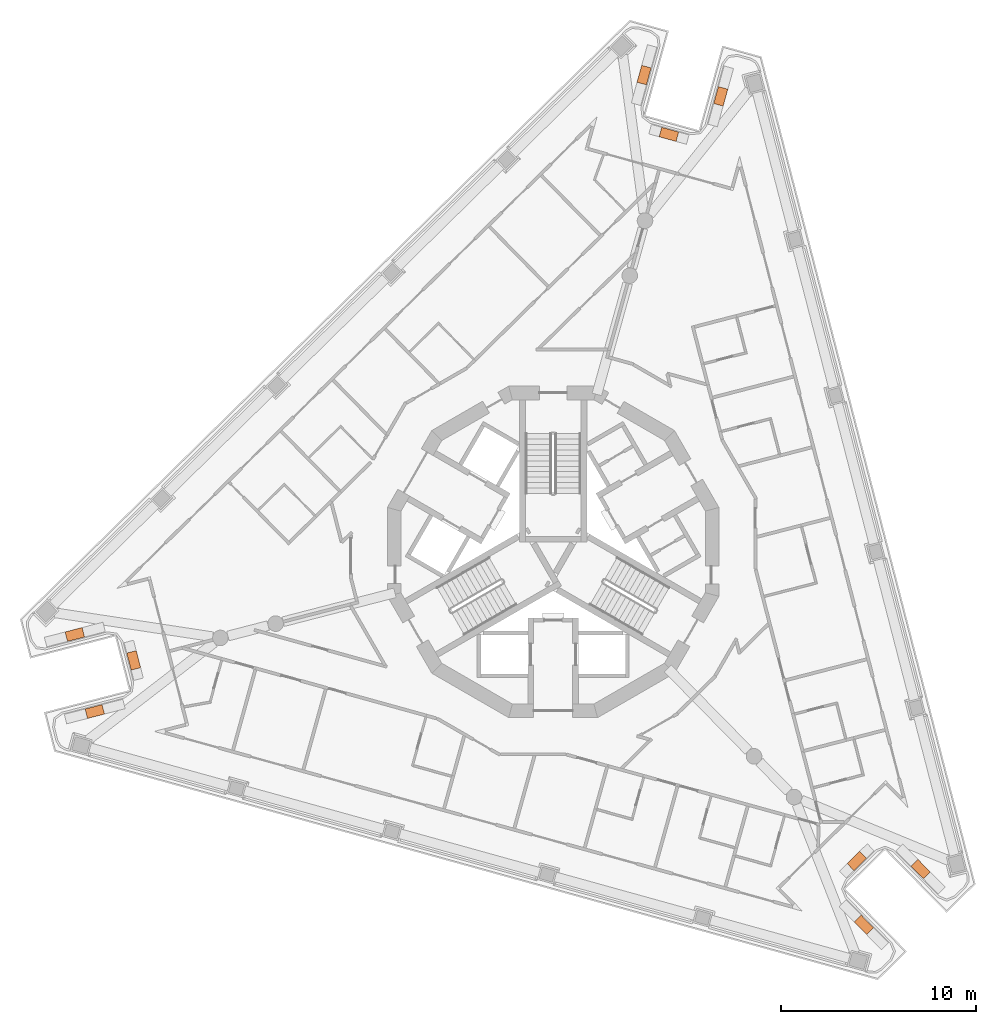
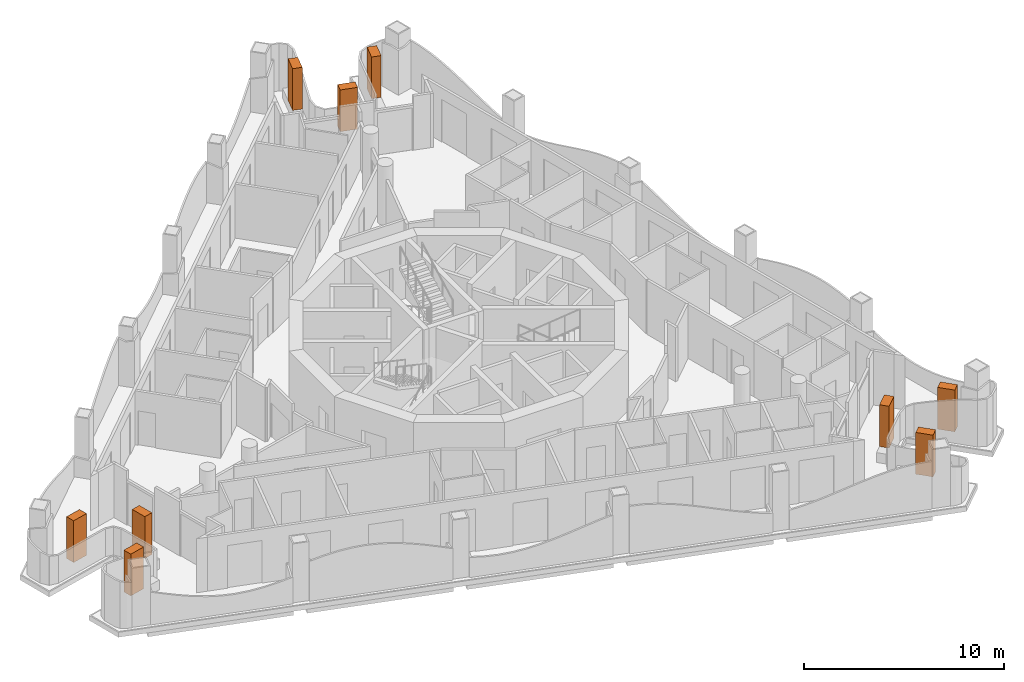
# One storey, part 14 of 14: 9 geographic elements.
"""IFC4 building model written with IfcOpenShell, lengths in metres."""

from ifc_helpers import new_model, si_unit, direction, frame, origin, origin_2d, place, context, subcontext, project, spatial, rectangle, extrude, element, save


model = new_model("IFC4")

# Units and contexts
model_context = context("Model", 3, precision=1e-05, world=origin(), true_north=direction((0.0, 1.0)))
body_context = subcontext(model_context, "Body", "Model", "MODEL_VIEW")
ifc_project = project(units=[si_unit("LENGTHUNIT", "METRE"), si_unit("AREAUNIT", "SQUARE_METRE"), si_unit("VOLUMEUNIT", "CUBIC_METRE"), si_unit("PLANEANGLEUNIT", "RADIAN"), si_unit("MASSUNIT", "GRAM", prefix="KILO")], contexts=[model_context])

# Site, building, storey
site_placement = place(None, origin())
site = spatial("IfcSite", under=ifc_project, at=site_placement, CompositionType="ELEMENT")
building_placement = place(site_placement, origin())
building = spatial("IfcBuilding", under=site, at=building_placement, Name="Trine Commons Tower", CompositionType="ELEMENT")
storey_placement = place(building_placement, frame((0.0, 0.0, 249.300048828125)))
storey = spatial("IfcBuildingStorey", under=building, at=storey_placement, Name="L65", CompositionType="ELEMENT", Elevation=249.300048828125)

# Geographic elements
for number, where, z_axis, x_axis, name in (
    (1, (56.49560546875, 54.314208984375, 0.60009765625), (0.0, 0.0, 1.0), (0.968152010186, 0.250363106652, 0.0), "Tree 1.1"),
    (2, (58.4921875, 56.937744140625, 0.60009765625), (0.0, 0.0, 1.0), (-0.250410419186, 0.968139773981, 0.0), "Tree 2.1"),
    (3, (55.473876953125, 58.264404296875, 0.60009765625), (0.0, 0.0, 1.0), (-0.968152010186, -0.250363106652, 0.0), "Tree 3.1"),
    (4, (84.6630859375, 86.948486328125, 0.60009765625), (0.0, 0.0, 1.0), (-0.26724005793, -0.963629986788, 0.0), "Tree 4.1"),
    (5, (85.936767578125, 83.907470703125, 0.60009765625), (0.0, 0.0, 1.0), (0.963633718069, -0.267226603091, 0.0), "Tree 5.1"),
    (6, (88.5947265625, 85.85791015625, 0.60009765625), (0.0, 0.0, 1.0), (0.26724005793, 0.963629986788, 0.0), "Tree 6.1"),
    (7, (98.84130859375, 46.2373046875, 0.60009765625), (0.0, 0.0, 1.0), (-0.700898060502, 0.713261458923, 0.0), "Tree 7.1"),
    (8, (95.57080078125, 46.65478515625, 0.60009765625), (0.0, 0.0, 1.0), (-0.713239439209, -0.700920467925, 0.0), "Tree 8.1"),
    (9, (95.931396484375, 43.377685546875, 0.60009765625), (0.0, 0.0, 1.0), (0.700898060502, -0.713261458923, 0.0), "Tree 9.1"),
):
    element("IfcGeographicElement", number, at=place(storey_placement, frame(where, z_axis=z_axis, x_axis=x_axis)), inside=storey, Name=name, ObjectType="TREE Tabebuia rosea", PredefinedType="USERDEFINED", context=body_context, shape_type="SweptSolid", body=[
        extrude(rectangle(XDim=0.89990234375, YDim=0.5, at=origin_2d()), origin(), (0.0, 0.0, 1.0), 2.550048828125),
    ])

save(model, "model.ifc")
